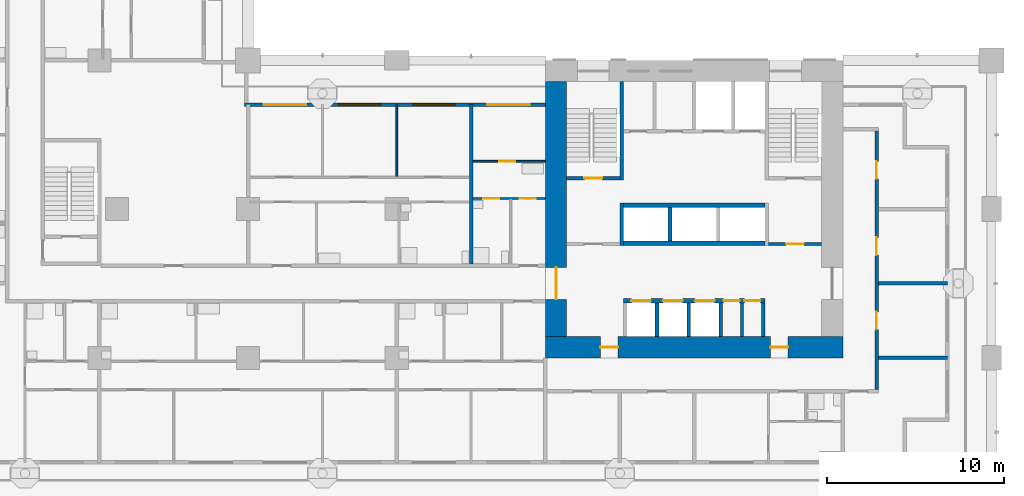
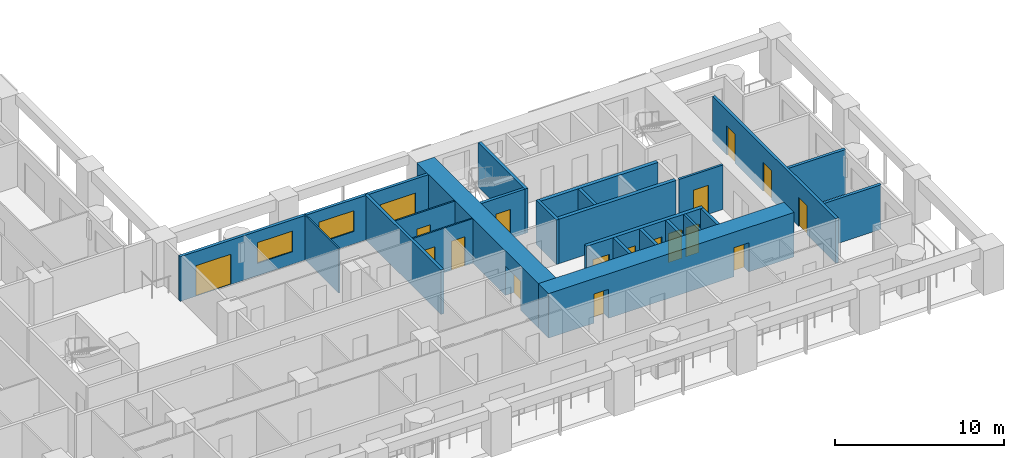
# One storey, part 6 of 20: 23 walls, 18 doors, 2 windows, 20 openings.
"""IFC4 building model written with IfcOpenShell, lengths in metres."""

from ifc_helpers import new_model, si_unit, direction, frame, frame_2d, origin, place, context, subcontext, project, spatial, rectangle, extrude, material, layer, layer_set, type_object, element, fill, save


model = new_model("IFC4")

# Units and contexts
model_context = context("Model", 3, precision=1e-05, world=origin(), true_north=direction((0.0, 1.0)))
body_context = subcontext(model_context, "Body", "Model", "MODEL_VIEW")
ifc_project = project(units=[si_unit("LENGTHUNIT", "METRE"), si_unit("AREAUNIT", "SQUARE_METRE"), si_unit("VOLUMEUNIT", "CUBIC_METRE"), si_unit("PLANEANGLEUNIT", "RADIAN"), si_unit("MASSUNIT", "GRAM", prefix="KILO")], contexts=[model_context])

# Site, building, storey
site_placement = place(None, origin())
site = spatial("IfcSite", under=ifc_project, at=site_placement, CompositionType="ELEMENT")
building_placement = place(site_placement, origin())
building = spatial("IfcBuilding", under=site, at=building_placement, Name="Vermilion Gate Residences", CompositionType="ELEMENT")
storey_placement = place(building_placement, frame((0.0, 0.0, 35.699951171875)))
storey = spatial("IfcBuildingStorey", under=building, at=storey_placement, Name="L07", CompositionType="ELEMENT", Elevation=35.699951171875)

# Wall
ifc_material_1 = material(Name="Masonry blockwork", Category="masonry")
ifc_layer_1 = layer(ifc_material_1, 0.14990234375)
ifc_layer_set_1 = layer_set([ifc_layer_1], Name="BLOCKWORK PARTITION 150 EI 120")
wall_type_1 = type_object("IfcWallType", Name="BLOCKWORK PARTITION 150 EI 120", PredefinedType="PARTITIONING", material=ifc_layer_set_1)
wall_1_placement = place(storey_placement, frame((53.10009765625, 9.60009765625, 0.0), z_axis=(0.0, 0.0, 1.0), x_axis=(0.0, 1.0, 0.0)))
element("IfcWall", 1, at=wall_1_placement, inside=storey, type_object=wall_type_1, Name="Core room partition A07-SR-P0", PredefinedType="PARTITIONING", context=body_context, shape_type="SweptSolid", body=[
    extrude(rectangle(XDim=1.89990234375, YDim=0.14990234375, at=frame_2d((0.949951171875, 0.0))), origin(), (0.0, 0.0, 1.0), 3.219970703125),
])

# Wall, opening, door
wall_2_placement = place(storey_placement, frame((54.60009765625, 14.824951171875, 0.0), z_axis=(0.0, 0.0, 1.0), x_axis=(1.0, 0.0, 0.0)))
wall_2 = element("IfcWall", 2, at=wall_2_placement, inside=storey, type_object=wall_type_1, Name="Core room partition A07-VE-S", PredefinedType="PARTITIONING", context=body_context, shape_type="SweptSolid", body=[
    extrude(rectangle(XDim=3.0, YDim=0.14990234375, at=frame_2d((1.5, 0.0))), origin(), (0.0, 0.0, 1.0), 3.219970703125),
])
opening_1_placement = place(wall_2_placement, frame((1.0, 0.0, 0.0)))
opening_1 = element("IfcOpeningElement", 3, at=opening_1_placement, cuts=wall_2, Name="Opening DK07016", PredefinedType="OPENING", context=body_context, shape_type="SweptSolid", body=[
    extrude(rectangle(XDim=1.0, YDim=2.10009765625, at=frame_2d((0.5, 1.050048828125))), frame((0.0, 0.0849609375, 0.0), z_axis=(0.0, -1.0, 0.0), x_axis=(1.0, 0.0, 0.0)), (0.0, 0.0, 1.0), 0.169921875),
])
ifc_material_2 = material(Name="Steel", Category="steel")
door_type_1 = type_object("IfcDoorType", Name="FIRE DOOR FD60 1000 X 2100", OperationType="SINGLE_SWING_LEFT", PredefinedType="DOOR", material=ifc_material_2)
door_1_placement = place(opening_1_placement, frame((1.0, 0.0, 0.0), z_axis=(0.0, 0.0, 1.0), x_axis=(-1.0, 0.0, 0.0)))
door_1 = element("IfcDoor", 4, at=door_1_placement, inside=storey, type_object=door_type_1, Name="Stair vestibule door A07", OperationType="SINGLE_SWING_LEFT", OverallHeight=2.10009765625, OverallWidth=1.0, PredefinedType="DOOR", context=body_context, shape_type="SweptSolid", body=[
    extrude(rectangle(XDim=1.0, YDim=2.10009765625, at=frame_2d((0.5, 1.050048828125))), frame((0.0, 0.02490234375, 0.0), z_axis=(0.0, -1.0, 0.0), x_axis=(1.0, 0.0, 0.0)), (0.0, 0.0, 1.0), 0.050048828125),
])
fill(opening_1, door_1)

# Wall, openings, doors, windows
ifc_material_3 = material(Name="Insulated steel stud wall with terracotta rainscreen", Category="masonry")
ifc_layer_2 = layer(ifc_material_3, 0.199951171875)
ifc_layer_set_2 = layer_set([ifc_layer_2], Name="EXTERNAL WALL 200 TERRACOTTA RAINSCREEN")
wall_type_2 = type_object("IfcWallType", Name="EXTERNAL WALL 200 TERRACOTTA RAINSCREEN", PredefinedType="SOLIDWALL", material=ifc_layer_set_2)
wall_3_placement = place(storey_placement, frame((42.0, 22.699951171875, 0.0), z_axis=(0.0, 0.0, 1.0), x_axis=(-1.0, 0.0, 0.0)))
wall_3 = element("IfcWall", 5, at=wall_3_placement, inside=storey, type_object=wall_type_2, Name="External wall", PredefinedType="SOLIDWALL", context=body_context, shape_type="SweptSolid", body=[
    extrude(rectangle(XDim=17.0, YDim=0.199951171875, at=frame_2d((8.5, 0.0))), origin(), (0.0, 0.0, 1.0), 3.219970703125),
])
opening_2_placement = place(wall_3_placement, frame((13.5, 0.0, 0.0)))
opening_2 = element("IfcOpeningElement", 6, at=opening_2_placement, cuts=wall_3, Name="Opening DE07033", PredefinedType="OPENING", context=body_context, shape_type="SweptSolid", body=[
    extrude(rectangle(XDim=2.39990234375, YDim=2.199951171875, at=frame_2d((1.199951171875, 1.10009765625))), frame((0.0, 0.10986328125, 0.0), z_axis=(0.0, -1.0, 0.0), x_axis=(1.0, 0.0, 0.0)), (0.0, 0.0, 1.0), 0.219970703125),
])
opening_3_placement = place(wall_3_placement, frame((9.300048828125, 0.0, 0.89990234375)))
opening_3 = element("IfcOpeningElement", 7, at=opening_3_placement, cuts=wall_3, Name="Opening WE07034", PredefinedType="OPENING", context=body_context, shape_type="SweptSolid", body=[
    extrude(rectangle(XDim=2.39990234375, YDim=1.5, at=frame_2d((1.199951171875, 0.75))), frame((0.0, 0.10986328125, 0.0), z_axis=(0.0, -1.0, 0.0), x_axis=(1.0, 0.0, 0.0)), (0.0, 0.0, 1.0), 0.219970703125),
])
opening_4_placement = place(wall_3_placement, frame((5.10009765625, 0.0, 0.89990234375)))
opening_4 = element("IfcOpeningElement", 8, at=opening_4_placement, cuts=wall_3, Name="Opening WE07035", PredefinedType="OPENING", context=body_context, shape_type="SweptSolid", body=[
    extrude(rectangle(XDim=2.39990234375, YDim=1.5, at=frame_2d((1.199951171875, 0.75))), frame((0.0, 0.10986328125, 0.0), z_axis=(0.0, -1.0, 0.0), x_axis=(1.0, 0.0, 0.0)), (0.0, 0.0, 1.0), 0.219970703125),
])
opening_5_placement = place(wall_3_placement, frame((0.89990234375, 0.0, 0.0)))
opening_5 = element("IfcOpeningElement", 9, at=opening_5_placement, cuts=wall_3, Name="Opening DE07036", PredefinedType="OPENING", context=body_context, shape_type="SweptSolid", body=[
    extrude(rectangle(XDim=2.39990234375, YDim=2.199951171875, at=frame_2d((1.199951171875, 1.10009765625))), frame((0.0, 0.10986328125, 0.0), z_axis=(0.0, -1.0, 0.0), x_axis=(1.0, 0.0, 0.0)), (0.0, 0.0, 1.0), 0.219970703125),
])
ifc_material_4 = material(Name="Aluminium and clear glass", Category="aluminium")
door_type_2 = type_object("IfcDoorType", Name="SLIDING GLAZED DOOR 2400 X 2200", OperationType="DOUBLE_DOOR_SLIDING", PredefinedType="DOOR", material=ifc_material_4)
door_2_placement = place(opening_2_placement, origin())
door_2 = element("IfcDoor", 10, at=door_2_placement, inside=storey, type_object=door_type_2, Name="Loggia sliding door", OperationType="DOUBLE_DOOR_SLIDING", OverallHeight=2.199951171875, OverallWidth=2.39990234375, PredefinedType="DOOR", context=body_context, shape_type="SweptSolid", body=[
    extrude(rectangle(XDim=2.39990234375, YDim=2.199951171875, at=frame_2d((1.199951171875, 1.10009765625))), frame((0.0, 0.02490234375, 0.0), z_axis=(0.0, -1.0, 0.0), x_axis=(1.0, 0.0, 0.0)), (0.0, 0.0, 1.0), 0.050048828125),
])
fill(opening_2, door_2)
door_3_placement = place(opening_5_placement, origin())
door_3 = element("IfcDoor", 11, at=door_3_placement, inside=storey, type_object=door_type_2, Name="Loggia sliding door", OperationType="DOUBLE_DOOR_SLIDING", OverallHeight=2.199951171875, OverallWidth=2.39990234375, PredefinedType="DOOR", context=body_context, shape_type="SweptSolid", body=[
    extrude(rectangle(XDim=2.39990234375, YDim=2.199951171875, at=frame_2d((1.199951171875, 1.10009765625))), frame((0.0, 0.02490234375, 0.0), z_axis=(0.0, -1.0, 0.0), x_axis=(1.0, 0.0, 0.0)), (0.0, 0.0, 1.0), 0.050048828125),
])
fill(opening_5, door_3)
ifc_material_5 = material(Name="Aluminium and clear glass", Category="aluminium")
window_type = type_object("IfcWindowType", Name="WINDOW 2400 X 1500", PartitioningType="SINGLE_PANEL", PredefinedType="WINDOW", material=ifc_material_5)
window_1_placement = place(opening_3_placement, origin())
window_1 = element("IfcWindow", 12, at=window_1_placement, inside=storey, type_object=window_type, Name="Window", OverallHeight=1.5, OverallWidth=2.39990234375, PartitioningType="SINGLE_PANEL", PredefinedType="WINDOW", context=body_context, shape_type="SweptSolid", body=[
    extrude(rectangle(XDim=2.39990234375, YDim=1.5, at=frame_2d((1.199951171875, 0.75))), frame((0.0, 0.030029296875, 0.0), z_axis=(0.0, -1.0, 0.0), x_axis=(1.0, 0.0, 0.0)), (0.0, 0.0, 1.0), 0.06005859375),
])
fill(opening_3, window_1)
window_2_placement = place(opening_4_placement, origin())
window_2 = element("IfcWindow", 13, at=window_2_placement, inside=storey, type_object=window_type, Name="Window", OverallHeight=1.5, OverallWidth=2.39990234375, PartitioningType="SINGLE_PANEL", PredefinedType="WINDOW", context=body_context, shape_type="SweptSolid", body=[
    extrude(rectangle(XDim=2.39990234375, YDim=1.5, at=frame_2d((1.199951171875, 0.75))), frame((0.0, 0.030029296875, 0.0), z_axis=(0.0, -1.0, 0.0), x_axis=(1.0, 0.0, 0.0)), (0.0, 0.0, 1.0), 0.06005859375),
])
fill(opening_4, window_2)

# Wall, openings, doors
ifc_material_6 = material(Name="Plasterboard on steel studs", Category="steel")
ifc_layer_3 = layer(ifc_material_6, 0.10009765625)
ifc_layer_set_3 = layer_set([ifc_layer_3], Name="PARTITION 100")
wall_type_3 = type_object("IfcWallType", Name="PARTITION 100", PredefinedType="PARTITIONING", material=ifc_layer_set_3)
wall_4_placement = place(storey_placement, frame((37.89990234375, 17.39990234375, 0.0), z_axis=(0.0, 0.0, 1.0), x_axis=(1.0, 0.0, 0.0)))
wall_4 = element("IfcWall", 14, at=wall_4_placement, inside=storey, type_object=wall_type_3, Name="Partition", PredefinedType="PARTITIONING", context=body_context, shape_type="SweptSolid", body=[
    extrude(rectangle(XDim=4.10009765625, YDim=0.10009765625, at=frame_2d((2.050048828125, 0.0))), origin(), (0.0, 0.0, 1.0), 3.219970703125),
])
opening_6_placement = place(wall_4_placement, frame((2.639892578125, 0.0, 0.0)))
opening_6 = element("IfcOpeningElement", 15, at=opening_6_placement, cuts=wall_4, Name="Opening DA07030", PredefinedType="OPENING", context=body_context, shape_type="SweptSolid", body=[
    extrude(rectangle(XDim=0.89990234375, YDim=2.10009765625, at=frame_2d((0.449951171875, 1.050048828125))), frame((0.0, 0.06005859375, 0.0), z_axis=(0.0, -1.0, 0.0), x_axis=(1.0, 0.0, 0.0)), (0.0, 0.0, 1.0), 0.1201171875),
])
opening_7_placement = place(wall_4_placement, frame((0.60009765625, 0.0, 0.0)))
opening_7 = element("IfcOpeningElement", 16, at=opening_7_placement, cuts=wall_4, Name="Opening DA07031", PredefinedType="OPENING", context=body_context, shape_type="SweptSolid", body=[
    extrude(rectangle(XDim=0.89990234375, YDim=2.10009765625, at=frame_2d((0.449951171875, 1.050048828125))), frame((0.0, 0.06005859375, 0.0), z_axis=(0.0, -1.0, 0.0), x_axis=(1.0, 0.0, 0.0)), (0.0, 0.0, 1.0), 0.1201171875),
])
ifc_material_7 = material(Name="Timber", Category="wood")
door_type_3 = type_object("IfcDoorType", Name="INTERIOR DOOR 900 X 2100", OperationType="SINGLE_SWING_LEFT", PredefinedType="DOOR", material=ifc_material_7)
door_4_placement = place(opening_6_placement, origin())
door_4 = element("IfcDoor", 17, at=door_4_placement, inside=storey, type_object=door_type_3, Name="Interior door", OperationType="SINGLE_SWING_RIGHT", OverallHeight=2.10009765625, OverallWidth=0.89990234375, PredefinedType="DOOR", context=body_context, shape_type="SweptSolid", body=[
    extrude(rectangle(XDim=0.89990234375, YDim=2.10009765625, at=frame_2d((0.449951171875, 1.050048828125))), frame((0.0, 0.02490234375, 0.0), z_axis=(0.0, -1.0, 0.0), x_axis=(1.0, 0.0, 0.0)), (0.0, 0.0, 1.0), 0.050048828125),
])
fill(opening_6, door_4)
door_5_placement = place(opening_7_placement, frame((0.89990234375, 0.0, 0.0), z_axis=(0.0, 0.0, 1.0), x_axis=(-1.0, 0.0, 0.0)))
door_5 = element("IfcDoor", 18, at=door_5_placement, inside=storey, type_object=door_type_3, Name="Interior door", OperationType="SINGLE_SWING_RIGHT", OverallHeight=2.10009765625, OverallWidth=0.89990234375, PredefinedType="DOOR", context=body_context, shape_type="SweptSolid", body=[
    extrude(rectangle(XDim=0.89990234375, YDim=2.10009765625, at=frame_2d((0.449951171875, 1.050048828125))), frame((0.0, 0.02490234375, 0.0), z_axis=(0.0, -1.0, 0.0), x_axis=(1.0, 0.0, 0.0)), (0.0, 0.0, 1.0), 0.050048828125),
])
fill(opening_7, door_5)

# Wall, opening, door
wall_5_placement = place(storey_placement, frame((37.89990234375, 19.5, 0.0), z_axis=(0.0, 0.0, 1.0), x_axis=(1.0, 0.0, 0.0)))
wall_5 = element("IfcWall", 19, at=wall_5_placement, inside=storey, type_object=wall_type_3, Name="Partition", PredefinedType="PARTITIONING", context=body_context, shape_type="SweptSolid", body=[
    extrude(rectangle(XDim=4.10009765625, YDim=0.10009765625, at=frame_2d((2.050048828125, 0.0))), origin(), (0.0, 0.0, 1.0), 3.219970703125),
])
opening_8_placement = place(wall_5_placement, frame((1.5, 0.0, 0.0)))
opening_8 = element("IfcOpeningElement", 20, at=opening_8_placement, cuts=wall_5, Name="Opening DA07035", PredefinedType="OPENING", context=body_context, shape_type="SweptSolid", body=[
    extrude(rectangle(XDim=0.89990234375, YDim=2.10009765625, at=frame_2d((0.449951171875, 1.050048828125))), frame((0.0, 0.06005859375, 0.0), z_axis=(0.0, -1.0, 0.0), x_axis=(1.0, 0.0, 0.0)), (0.0, 0.0, 1.0), 0.1201171875),
])
door_6_placement = place(opening_8_placement, frame((0.89990234375, 0.0, 0.0), z_axis=(0.0, 0.0, 1.0), x_axis=(-1.0, 0.0, 0.0)))
door_6 = element("IfcDoor", 21, at=door_6_placement, inside=storey, type_object=door_type_3, Name="Interior door", OperationType="SINGLE_SWING_LEFT", OverallHeight=2.10009765625, OverallWidth=0.89990234375, PredefinedType="DOOR", context=body_context, shape_type="SweptSolid", body=[
    extrude(rectangle(XDim=0.89990234375, YDim=2.10009765625, at=frame_2d((0.449951171875, 1.050048828125))), frame((0.0, 0.02490234375, 0.0), z_axis=(0.0, -1.0, 0.0), x_axis=(1.0, 0.0, 0.0)), (0.0, 0.0, 1.0), 0.050048828125),
])
fill(opening_8, door_6)

# Walls
wall_6_placement = place(storey_placement, frame((33.60009765625, 18.64990234375, 0.0), z_axis=(0.0, 0.0, 1.0), x_axis=(0.0, 1.0, 0.0)))
element("IfcWall", 22, at=wall_6_placement, inside=storey, type_object=wall_type_3, Name="Partition", PredefinedType="PARTITIONING", context=body_context, shape_type="SweptSolid", body=[
    extrude(rectangle(XDim=4.050048828125, YDim=0.10009765625, at=frame_2d((2.02490234375, 0.0))), origin(), (0.0, 0.0, 1.0), 3.219970703125),
])
ifc_material_8 = material(Name="Fire-rated plasterboard on steel studs", Category="steel")
ifc_layer_4 = layer(ifc_material_8, 0.199951171875)
ifc_layer_set_4 = layer_set([ifc_layer_4], Name="PARTY WALL 200 EI 120")
wall_type_4 = type_object("IfcWallType", Name="PARTY WALL 200 EI 120", PredefinedType="PARTITIONING", material=ifc_layer_set_4)
for number, where, z_axis, x_axis, name in (
    (23, (60.800048828125, 8.39990234375, 0.0), (0.0, 0.0, 1.0), (1.0, 0.0, 0.0), "Party and corridor wall"),
    (24, (60.800048828125, 12.60009765625, 0.0), (0.0, 0.0, 1.0), (1.0, 0.0, 0.0), "Party and corridor wall"),
):
    element("IfcWall", number, at=place(storey_placement, frame(where, z_axis=z_axis, x_axis=x_axis)), inside=storey, type_object=wall_type_4, Name=name, PredefinedType="PARTITIONING", context=body_context, shape_type="SweptSolid", body=[
        extrude(rectangle(XDim=3.89990234375, YDim=0.199951171875, at=frame_2d((1.949951171875, 0.0))), origin(), (0.0, 0.0, 1.0), 3.219970703125),
    ])
wall_7_placement = place(storey_placement, frame((37.800048828125, 13.699951171875, 0.0), z_axis=(0.0, 0.0, 1.0), x_axis=(0.0, 1.0, 0.0)))
element("IfcWall", 25, at=wall_7_placement, inside=storey, type_object=wall_type_4, Name="Party and corridor wall", PredefinedType="PARTITIONING", context=body_context, shape_type="SweptSolid", body=[
    extrude(rectangle(XDim=9.0, YDim=0.199951171875, at=frame_2d((4.5, 0.0))), origin(), (0.0, 0.0, 1.0), 3.219970703125),
])

# Wall, openings, doors
wall_8_placement = place(storey_placement, frame((60.699951171875, 6.60009765625, 0.0), z_axis=(0.0, 0.0, 1.0), x_axis=(0.0, 1.0, 0.0)))
wall_8 = element("IfcWall", 26, at=wall_8_placement, inside=storey, type_object=wall_type_4, Name="Party and corridor wall", PredefinedType="PARTITIONING", context=body_context, shape_type="SweptSolid", body=[
    extrude(rectangle(XDim=14.599853515625, YDim=0.199951171875, at=frame_2d((7.2998046875, 0.0))), origin(), (0.0, 0.0, 1.0), 3.219970703125),
])
opening_9_placement = place(wall_8_placement, frame((3.39990234375, 0.0, 0.0)))
opening_9 = element("IfcOpeningElement", 27, at=opening_9_placement, cuts=wall_8, Name="Opening DA07066", PredefinedType="OPENING", context=body_context, shape_type="SweptSolid", body=[
    extrude(rectangle(XDim=1.0, YDim=2.10009765625, at=frame_2d((0.5, 1.050048828125))), frame((0.0, 0.10986328125, 0.0), z_axis=(0.0, -1.0, 0.0), x_axis=(1.0, 0.0, 0.0)), (0.0, 0.0, 1.0), 0.219970703125),
])
opening_10_placement = place(wall_8_placement, frame((7.60009765625, 0.0, 0.0)))
opening_10 = element("IfcOpeningElement", 28, at=opening_10_placement, cuts=wall_8, Name="Opening DA07067", PredefinedType="OPENING", context=body_context, shape_type="SweptSolid", body=[
    extrude(rectangle(XDim=1.0, YDim=2.10009765625, at=frame_2d((0.5, 1.050048828125))), frame((0.0, 0.10986328125, 0.0), z_axis=(0.0, -1.0, 0.0), x_axis=(1.0, 0.0, 0.0)), (0.0, 0.0, 1.0), 0.219970703125),
])
opening_11_placement = place(wall_8_placement, frame((11.89990234375, 0.0, 0.0)))
opening_11 = element("IfcOpeningElement", 29, at=opening_11_placement, cuts=wall_8, Name="Opening DA07068", PredefinedType="OPENING", context=body_context, shape_type="SweptSolid", body=[
    extrude(rectangle(XDim=1.0, YDim=2.10009765625, at=frame_2d((0.5, 1.050048828125))), frame((0.0, 0.10986328125, 0.0), z_axis=(0.0, -1.0, 0.0), x_axis=(1.0, 0.0, 0.0)), (0.0, 0.0, 1.0), 0.219970703125),
])
ifc_material_9 = material(Name="Steel", Category="steel")
door_type_4 = type_object("IfcDoorType", Name="ENTRANCE DOOR 1000 X 2100 FD30", OperationType="SINGLE_SWING_LEFT", PredefinedType="DOOR", material=ifc_material_9)
door_7_placement = place(opening_9_placement, frame((1.0, 0.0, 0.0), z_axis=(0.0, 0.0, 1.0), x_axis=(-1.0, 0.0, 0.0)))
door_7 = element("IfcDoor", 30, at=door_7_placement, inside=storey, type_object=door_type_4, Name="Entrance door", OperationType="SINGLE_SWING_RIGHT", OverallHeight=2.10009765625, OverallWidth=1.0, PredefinedType="DOOR", context=body_context, shape_type="SweptSolid", body=[
    extrude(rectangle(XDim=1.0, YDim=2.10009765625, at=frame_2d((0.5, 1.050048828125))), frame((0.0, 0.02490234375, 0.0), z_axis=(0.0, -1.0, 0.0), x_axis=(1.0, 0.0, 0.0)), (0.0, 0.0, 1.0), 0.050048828125),
])
fill(opening_9, door_7)
door_8_placement = place(opening_10_placement, frame((1.0, 0.0, 0.0), z_axis=(0.0, 0.0, 1.0), x_axis=(-1.0, 0.0, 0.0)))
door_8 = element("IfcDoor", 31, at=door_8_placement, inside=storey, type_object=door_type_4, Name="Entrance door", OperationType="SINGLE_SWING_RIGHT", OverallHeight=2.10009765625, OverallWidth=1.0, PredefinedType="DOOR", context=body_context, shape_type="SweptSolid", body=[
    extrude(rectangle(XDim=1.0, YDim=2.10009765625, at=frame_2d((0.5, 1.050048828125))), frame((0.0, 0.02490234375, 0.0), z_axis=(0.0, -1.0, 0.0), x_axis=(1.0, 0.0, 0.0)), (0.0, 0.0, 1.0), 0.050048828125),
])
fill(opening_10, door_8)
door_9_placement = place(opening_11_placement, frame((1.0, 0.0, 0.0), z_axis=(0.0, 0.0, 1.0), x_axis=(-1.0, 0.0, 0.0)))
door_9 = element("IfcDoor", 32, at=door_9_placement, inside=storey, type_object=door_type_4, Name="Entrance door", OperationType="SINGLE_SWING_RIGHT", OverallHeight=2.10009765625, OverallWidth=1.0, PredefinedType="DOOR", context=body_context, shape_type="SweptSolid", body=[
    extrude(rectangle(XDim=1.0, YDim=2.10009765625, at=frame_2d((0.5, 1.050048828125))), frame((0.0, 0.02490234375, 0.0), z_axis=(0.0, -1.0, 0.0), x_axis=(1.0, 0.0, 0.0)), (0.0, 0.0, 1.0), 0.050048828125),
])
fill(opening_11, door_9)

# Walls
ifc_material_10 = material(Name="Concrete C60", Category="concrete")
ifc_layer_5 = layer(ifc_material_10, 0.199951171875)
ifc_layer_set_5 = layer_set([ifc_layer_5], Name="RC CORE INTERNAL WALL 200 C60")
wall_type_5 = type_object("IfcWallType", Name="RC CORE INTERNAL WALL 200 C60", PredefinedType="SHEAR", material=ifc_layer_set_5)
for number, where, z_axis, x_axis, name in (
    (33, (48.300048828125, 9.60009765625, 0.0), (0.0, 0.0, 1.0), (0.0, 1.0, 0.0), "Core internal wall A07-LR-D1"),
    (34, (50.10009765625, 9.60009765625, 0.0), (0.0, 0.0, 1.0), (0.0, 1.0, 0.0), "Core internal wall A07-LR-D2"),
    (35, (51.89990234375, 9.60009765625, 0.0), (0.0, 0.0, 1.0), (0.0, 1.0, 0.0), "Core internal wall A07-LR-D3"),
    (36, (54.300048828125, 9.60009765625, 0.0), (0.0, 0.0, 1.0), (0.0, 1.0, 0.0), "Core internal wall A07-LR-DE"),
    (37, (49.033447265625, 15.0, 0.0), (0.0, 0.0, 1.0), (0.0, 1.0, 0.0), "Core internal wall A07-HR-D1"),
):
    element("IfcWall", number, at=place(storey_placement, frame(where, z_axis=z_axis, x_axis=x_axis)), inside=storey, type_object=wall_type_5, Name=name, PredefinedType="SHEAR", context=body_context, shape_type="SweptSolid", body=[
        extrude(rectangle(XDim=1.89990234375, YDim=0.199951171875, at=frame_2d((0.949951171875, 0.0))), origin(), (0.0, 0.0, 1.0), 3.219970703125),
    ])
wall_9_placement = place(storey_placement, frame((46.300048828125, 14.75, 0.0), z_axis=(0.0, 0.0, 1.0), x_axis=(0.0, 1.0, 0.0)))
element("IfcWall", 38, at=wall_9_placement, inside=storey, type_object=wall_type_5, Name="Core internal wall A07-WDIV1", PredefinedType="SHEAR", context=body_context, shape_type="SweptSolid", body=[
    extrude(rectangle(XDim=2.39990234375, YDim=0.199951171875, at=frame_2d((1.199951171875, 0.0))), origin(), (0.0, 0.0, 1.0), 3.219970703125),
])
wall_10_placement = place(storey_placement, frame((46.300048828125, 18.449951171875, 0.0), z_axis=(0.0, 0.0, 1.0), x_axis=(0.0, 1.0, 0.0)))
element("IfcWall", 39, at=wall_10_placement, inside=storey, type_object=wall_type_5, Name="Core internal wall A07-WDIV2", PredefinedType="SHEAR", context=body_context, shape_type="SweptSolid", body=[
    extrude(rectangle(XDim=5.550048828125, YDim=0.199951171875, at=frame_2d((2.77490234375, 0.0))), origin(), (0.0, 0.0, 1.0), 3.219970703125),
])

# Wall, opening, door
wall_11_placement = place(storey_placement, frame((43.199951171875, 18.550048828125, 0.0), z_axis=(0.0, 0.0, 1.0), x_axis=(1.0, 0.0, 0.0)))
wall_11 = element("IfcWall", 40, at=wall_11_placement, inside=storey, type_object=wall_type_5, Name="Core internal wall A07-STW-S", PredefinedType="SHEAR", context=body_context, shape_type="SweptSolid", body=[
    extrude(rectangle(XDim=3.0, YDim=0.199951171875, at=frame_2d((1.5, 0.0))), origin(), (0.0, 0.0, 1.0), 3.219970703125),
])
opening_12_placement = place(wall_11_placement, frame((1.0, 0.0, 0.0)))
opening_12 = element("IfcOpeningElement", 41, at=opening_12_placement, cuts=wall_11, Name="Opening DK07015", PredefinedType="OPENING", context=body_context, shape_type="SweptSolid", body=[
    extrude(rectangle(XDim=1.0, YDim=2.10009765625, at=frame_2d((0.5, 1.050048828125))), frame((0.0, 0.10986328125, 0.0), z_axis=(0.0, -1.0, 0.0), x_axis=(1.0, 0.0, 0.0)), (0.0, 0.0, 1.0), 0.219970703125),
])
door_10_placement = place(opening_12_placement, origin())
door_10 = element("IfcDoor", 42, at=door_10_placement, inside=storey, type_object=door_type_1, Name="Stair door A07", OperationType="SINGLE_SWING_LEFT", OverallHeight=2.10009765625, OverallWidth=1.0, PredefinedType="DOOR", context=body_context, shape_type="SweptSolid", body=[
    extrude(rectangle(XDim=1.0, YDim=2.10009765625, at=frame_2d((0.5, 1.050048828125))), frame((0.0, 0.02490234375, 0.0), z_axis=(0.0, -1.0, 0.0), x_axis=(1.0, 0.0, 0.0)), (0.0, 0.0, 1.0), 0.050048828125),
])
fill(opening_12, door_10)

# Wall, openings, doors
ifc_material_11 = material(Name="Concrete C80", Category="concrete")
ifc_layer_6 = layer(ifc_material_11, 1.199951171875)
ifc_layer_set_6 = layer_set([ifc_layer_6], Name="RC CORE WALL 1200 C80")
wall_type_6 = type_object("IfcWallType", Name="RC CORE WALL 1200 C80", PredefinedType="SHEAR", material=ifc_layer_set_6)
wall_12_placement = place(storey_placement, frame((42.0, 9.0, 0.0), z_axis=(0.0, 0.0, 1.0), x_axis=(1.0, 0.0, 0.0)))
wall_12 = element("IfcWall", 43, at=wall_12_placement, inside=storey, type_object=wall_type_6, Name="Core wall A07-OUT-B0", PredefinedType="SHEAR", context=body_context, shape_type="SweptSolid", body=[
    extrude(rectangle(XDim=16.800048828125, YDim=1.199951171875, at=frame_2d((8.39990234375, 0.0))), origin(), (0.0, 0.0, 1.0), 3.219970703125),
])
opening_13_placement = place(wall_12_placement, frame((3.10009765625, 0.0, 0.0)))
opening_13 = element("IfcOpeningElement", 44, at=opening_13_placement, cuts=wall_12, Name="Opening DK07001", PredefinedType="OPENING", context=body_context, shape_type="SweptSolid", body=[
    extrude(rectangle(XDim=1.0, YDim=2.10009765625, at=frame_2d((0.5, 1.050048828125))), frame((0.0, 0.60986328125, 0.0), z_axis=(0.0, -1.0, 0.0), x_axis=(1.0, 0.0, 0.0)), (0.0, 0.0, 1.0), 1.219970703125),
])
opening_14_placement = place(wall_12_placement, frame((12.699951171875, 0.0, 0.0)))
opening_14 = element("IfcOpeningElement", 45, at=opening_14_placement, cuts=wall_12, Name="Opening DK07002", PredefinedType="OPENING", context=body_context, shape_type="SweptSolid", body=[
    extrude(rectangle(XDim=1.0, YDim=2.10009765625, at=frame_2d((0.5, 1.050048828125))), frame((0.0, 0.60986328125, 0.0), z_axis=(0.0, -1.0, 0.0), x_axis=(1.0, 0.0, 0.0)), (0.0, 0.0, 1.0), 1.219970703125),
])
door_11_placement = place(opening_13_placement, origin())
door_11 = element("IfcDoor", 46, at=door_11_placement, inside=storey, type_object=door_type_1, Name="Core lobby side door A07", OperationType="SINGLE_SWING_RIGHT", OverallHeight=2.10009765625, OverallWidth=1.0, PredefinedType="DOOR", context=body_context, shape_type="SweptSolid", body=[
    extrude(rectangle(XDim=1.0, YDim=2.10009765625, at=frame_2d((0.5, 1.050048828125))), frame((0.0, 0.02490234375, 0.0), z_axis=(0.0, -1.0, 0.0), x_axis=(1.0, 0.0, 0.0)), (0.0, 0.0, 1.0), 0.050048828125),
])
fill(opening_13, door_11)
door_12_placement = place(opening_14_placement, origin())
door_12 = element("IfcDoor", 47, at=door_12_placement, inside=storey, type_object=door_type_1, Name="Core lobby side door A07", OperationType="SINGLE_SWING_LEFT", OverallHeight=2.10009765625, OverallWidth=1.0, PredefinedType="DOOR", context=body_context, shape_type="SweptSolid", body=[
    extrude(rectangle(XDim=1.0, YDim=2.10009765625, at=frame_2d((0.5, 1.050048828125))), frame((0.0, 0.02490234375, 0.0), z_axis=(0.0, -1.0, 0.0), x_axis=(1.0, 0.0, 0.0)), (0.0, 0.0, 1.0), 0.050048828125),
])
fill(opening_14, door_12)

# Wall, opening, door
wall_13_placement = place(storey_placement, frame((42.60009765625, 9.60009765625, 0.0), z_axis=(0.0, 0.0, 1.0), x_axis=(0.0, 1.0, 0.0)))
wall_13 = element("IfcWall", 48, at=wall_13_placement, inside=storey, type_object=wall_type_6, Name="Core wall A07-OUT-FR", PredefinedType="SHEAR", context=body_context, shape_type="SweptSolid", body=[
    extrude(rectangle(XDim=14.39990234375, YDim=1.199951171875, at=frame_2d((7.199951171875, 0.0))), origin(), (0.0, 0.0, 1.0), 3.219970703125),
])
opening_15_placement = place(wall_13_placement, frame((2.10009765625, 0.0, 0.0)))
opening_15 = element("IfcOpeningElement", 49, at=opening_15_placement, cuts=wall_13, Name="Opening DK07003", PredefinedType="OPENING", context=body_context, shape_type="SweptSolid", body=[
    extrude(rectangle(XDim=1.800048828125, YDim=2.10009765625, at=frame_2d((0.89990234375, 1.050048828125))), frame((0.0, 0.60986328125, 0.0), z_axis=(0.0, -1.0, 0.0), x_axis=(1.0, 0.0, 0.0)), (0.0, 0.0, 1.0), 1.219970703125),
])
ifc_material_12 = material(Name="Steel", Category="steel")
door_type_5 = type_object("IfcDoorType", Name="CORE LOBBY DOOR FD60 1800 X 2100", OperationType="DOUBLE_DOOR_SINGLE_SWING", PredefinedType="DOOR", material=ifc_material_12)
door_13_placement = place(opening_15_placement, frame((1.800048828125, 0.0, 0.0), z_axis=(0.0, 0.0, 1.0), x_axis=(-1.0, 0.0, 0.0)))
door_13 = element("IfcDoor", 50, at=door_13_placement, inside=storey, type_object=door_type_5, Name="Core lobby door A07", OperationType="DOUBLE_DOOR_SINGLE_SWING", OverallHeight=2.10009765625, OverallWidth=1.800048828125, PredefinedType="DOOR", context=body_context, shape_type="SweptSolid", body=[
    extrude(rectangle(XDim=1.800048828125, YDim=2.10009765625, at=frame_2d((0.89990234375, 1.050048828125))), frame((0.0, 0.02490234375, 0.0), z_axis=(0.0, -1.0, 0.0), x_axis=(1.0, 0.0, 0.0)), (0.0, 0.0, 1.0), 0.050048828125),
])
fill(opening_15, door_13)

# Wall, openings, doors
ifc_material_13 = material(Name="Concrete C60", Category="concrete")
ifc_layer_7 = layer(ifc_material_13, 0.25)
ifc_layer_set_7 = layer_set([ifc_layer_7], Name="RC LIFT SHAFT WALL 250 C60")
wall_type_7 = type_object("IfcWallType", Name="RC LIFT SHAFT WALL 250 C60", PredefinedType="SHEAR", material=ifc_layer_set_7)
wall_14_placement = place(storey_placement, frame((46.39990234375, 11.625, 0.0), z_axis=(0.0, 0.0, 1.0), x_axis=(1.0, 0.0, 0.0)))
wall_14 = element("IfcWall", 51, at=wall_14_placement, inside=storey, type_object=wall_type_7, Name="Lift shaft wall A07-LR-F", PredefinedType="SHEAR", context=body_context, shape_type="SweptSolid", body=[
    extrude(rectangle(XDim=8.0, YDim=0.25, at=frame_2d((4.0, 0.0))), origin(), (0.0, 0.0, 1.0), 3.219970703125),
])
opening_16_placement = place(wall_14_placement, frame((0.449951171875, 0.0, 0.0)))
opening_16 = element("IfcOpeningElement", 52, at=opening_16_placement, cuts=wall_14, Name="Opening LD", PredefinedType="OPENING", context=body_context, shape_type="SweptSolid", body=[
    extrude(rectangle(XDim=1.10009765625, YDim=2.10009765625, at=frame_2d((0.550048828125, 1.050048828125))), frame((0.0, 0.135009765625, 0.0), z_axis=(0.0, -1.0, 0.0), x_axis=(1.0, 0.0, 0.0)), (0.0, 0.0, 1.0), 0.27001953125),
])
opening_17_placement = place(wall_14_placement, frame((2.25, 0.0, 0.0)))
opening_17 = element("IfcOpeningElement", 53, at=opening_17_placement, cuts=wall_14, Name="Opening LD", PredefinedType="OPENING", context=body_context, shape_type="SweptSolid", body=[
    extrude(rectangle(XDim=1.10009765625, YDim=2.10009765625, at=frame_2d((0.550048828125, 1.050048828125))), frame((0.0, 0.135009765625, 0.0), z_axis=(0.0, -1.0, 0.0), x_axis=(1.0, 0.0, 0.0)), (0.0, 0.0, 1.0), 0.27001953125),
])
opening_18_placement = place(wall_14_placement, frame((4.050048828125, 0.0, 0.0)))
opening_18 = element("IfcOpeningElement", 54, at=opening_18_placement, cuts=wall_14, Name="Opening LD", PredefinedType="OPENING", context=body_context, shape_type="SweptSolid", body=[
    extrude(rectangle(XDim=1.10009765625, YDim=2.10009765625, at=frame_2d((0.550048828125, 1.050048828125))), frame((0.0, 0.135009765625, 0.0), z_axis=(0.0, -1.0, 0.0), x_axis=(1.0, 0.0, 0.0)), (0.0, 0.0, 1.0), 0.27001953125),
])
opening_19_placement = place(wall_14_placement, frame((5.66259765625, 0.0, 0.0)))
opening_19 = element("IfcOpeningElement", 55, at=opening_19_placement, cuts=wall_14, Name="Opening DK07008", PredefinedType="OPENING", context=body_context, shape_type="SweptSolid", body=[
    extrude(rectangle(XDim=0.89990234375, YDim=2.10009765625, at=frame_2d((0.449951171875, 1.050048828125))), frame((0.0, 0.135009765625, 0.0), z_axis=(0.0, -1.0, 0.0), x_axis=(1.0, 0.0, 0.0)), (0.0, 0.0, 1.0), 0.27001953125),
])
opening_20_placement = place(wall_14_placement, frame((6.83740234375, 0.0, 0.0)))
opening_20 = element("IfcOpeningElement", 56, at=opening_20_placement, cuts=wall_14, Name="Opening DK07009", PredefinedType="OPENING", context=body_context, shape_type="SweptSolid", body=[
    extrude(rectangle(XDim=0.89990234375, YDim=2.10009765625, at=frame_2d((0.449951171875, 1.050048828125))), frame((0.0, 0.135009765625, 0.0), z_axis=(0.0, -1.0, 0.0), x_axis=(1.0, 0.0, 0.0)), (0.0, 0.0, 1.0), 0.27001953125),
])
ifc_material_14 = material(Name="Stainless steel", Category="steel")
door_type_6 = type_object("IfcDoorType", Name="LIFT LANDING DOOR E60 1100 X 2100", OperationType="DOUBLE_DOOR_SLIDING", PredefinedType="DOOR", material=ifc_material_14)
door_14_placement = place(opening_16_placement, origin())
door_14 = element("IfcDoor", 57, at=door_14_placement, inside=storey, type_object=door_type_6, Name="Lift landing door LRA1", OperationType="DOUBLE_DOOR_SLIDING", OverallHeight=2.10009765625, OverallWidth=1.10009765625, PredefinedType="DOOR", context=body_context, shape_type="SweptSolid", body=[
    extrude(rectangle(XDim=1.10009765625, YDim=2.10009765625, at=frame_2d((0.550048828125, 1.050048828125))), frame((0.0, 0.02490234375, 0.0), z_axis=(0.0, -1.0, 0.0), x_axis=(1.0, 0.0, 0.0)), (0.0, 0.0, 1.0), 0.050048828125),
])
fill(opening_16, door_14)
door_15_placement = place(opening_17_placement, origin())
door_15 = element("IfcDoor", 58, at=door_15_placement, inside=storey, type_object=door_type_6, Name="Lift landing door LRA2", OperationType="DOUBLE_DOOR_SLIDING", OverallHeight=2.10009765625, OverallWidth=1.10009765625, PredefinedType="DOOR", context=body_context, shape_type="SweptSolid", body=[
    extrude(rectangle(XDim=1.10009765625, YDim=2.10009765625, at=frame_2d((0.550048828125, 1.050048828125))), frame((0.0, 0.02490234375, 0.0), z_axis=(0.0, -1.0, 0.0), x_axis=(1.0, 0.0, 0.0)), (0.0, 0.0, 1.0), 0.050048828125),
])
fill(opening_17, door_15)
door_16_placement = place(opening_18_placement, origin())
door_16 = element("IfcDoor", 59, at=door_16_placement, inside=storey, type_object=door_type_6, Name="Lift landing door LRA3", OperationType="DOUBLE_DOOR_SLIDING", OverallHeight=2.10009765625, OverallWidth=1.10009765625, PredefinedType="DOOR", context=body_context, shape_type="SweptSolid", body=[
    extrude(rectangle(XDim=1.10009765625, YDim=2.10009765625, at=frame_2d((0.550048828125, 1.050048828125))), frame((0.0, 0.02490234375, 0.0), z_axis=(0.0, -1.0, 0.0), x_axis=(1.0, 0.0, 0.0)), (0.0, 0.0, 1.0), 0.050048828125),
])
fill(opening_18, door_16)
ifc_material_15 = material(Name="Steel", Category="steel")
door_type_7 = type_object("IfcDoorType", Name="SERVICE ROOM DOOR FD60 900 X 2100", OperationType="SINGLE_SWING_LEFT", PredefinedType="DOOR", material=ifc_material_15)
door_17_placement = place(opening_19_placement, frame((0.89990234375, 0.0, 0.0), z_axis=(0.0, 0.0, 1.0), x_axis=(-1.0, 0.0, 0.0)))
door_17 = element("IfcDoor", 60, at=door_17_placement, inside=storey, type_object=door_type_7, Name="Refuse room A07", OperationType="SINGLE_SWING_RIGHT", OverallHeight=2.10009765625, OverallWidth=0.89990234375, PredefinedType="DOOR", context=body_context, shape_type="SweptSolid", body=[
    extrude(rectangle(XDim=0.89990234375, YDim=2.10009765625, at=frame_2d((0.449951171875, 1.050048828125))), frame((0.0, 0.02490234375, 0.0), z_axis=(0.0, -1.0, 0.0), x_axis=(1.0, 0.0, 0.0)), (0.0, 0.0, 1.0), 0.050048828125),
])
fill(opening_19, door_17)
door_18_placement = place(opening_20_placement, frame((0.89990234375, 0.0, 0.0), z_axis=(0.0, 0.0, 1.0), x_axis=(-1.0, 0.0, 0.0)))
door_18 = element("IfcDoor", 61, at=door_18_placement, inside=storey, type_object=door_type_7, Name="Parcel room A07", OperationType="SINGLE_SWING_RIGHT", OverallHeight=2.10009765625, OverallWidth=0.89990234375, PredefinedType="DOOR", context=body_context, shape_type="SweptSolid", body=[
    extrude(rectangle(XDim=0.89990234375, YDim=2.10009765625, at=frame_2d((0.449951171875, 1.050048828125))), frame((0.0, 0.02490234375, 0.0), z_axis=(0.0, -1.0, 0.0), x_axis=(1.0, 0.0, 0.0)), (0.0, 0.0, 1.0), 0.050048828125),
])
fill(opening_20, door_18)

# Walls
for number, where, z_axis, x_axis, name in (
    (62, (46.39990234375, 14.875, 0.0), (0.0, 0.0, 1.0), (1.0, 0.0, 0.0), "Lift shaft wall A07-HR-F"),
    (63, (46.39990234375, 17.02490234375, 0.0), (0.0, 0.0, 1.0), (1.0, 0.0, 0.0), "Lift shaft wall A07-HR-B"),
):
    element("IfcWall", number, at=place(storey_placement, frame(where, z_axis=z_axis, x_axis=x_axis)), inside=storey, type_object=wall_type_7, Name=name, PredefinedType="SHEAR", context=body_context, shape_type="SweptSolid", body=[
        extrude(rectangle(XDim=8.0, YDim=0.25, at=frame_2d((4.0, 0.0))), origin(), (0.0, 0.0, 1.0), 3.219970703125),
    ])

save(model, "model.ifc")
